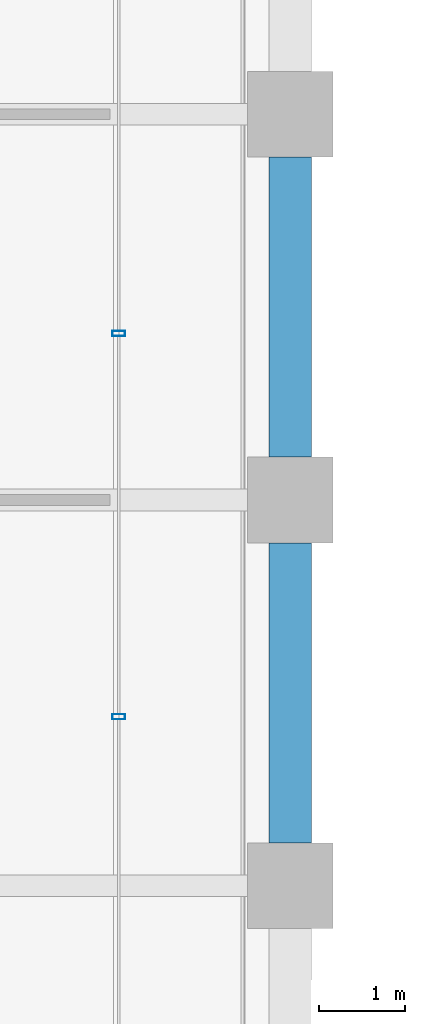
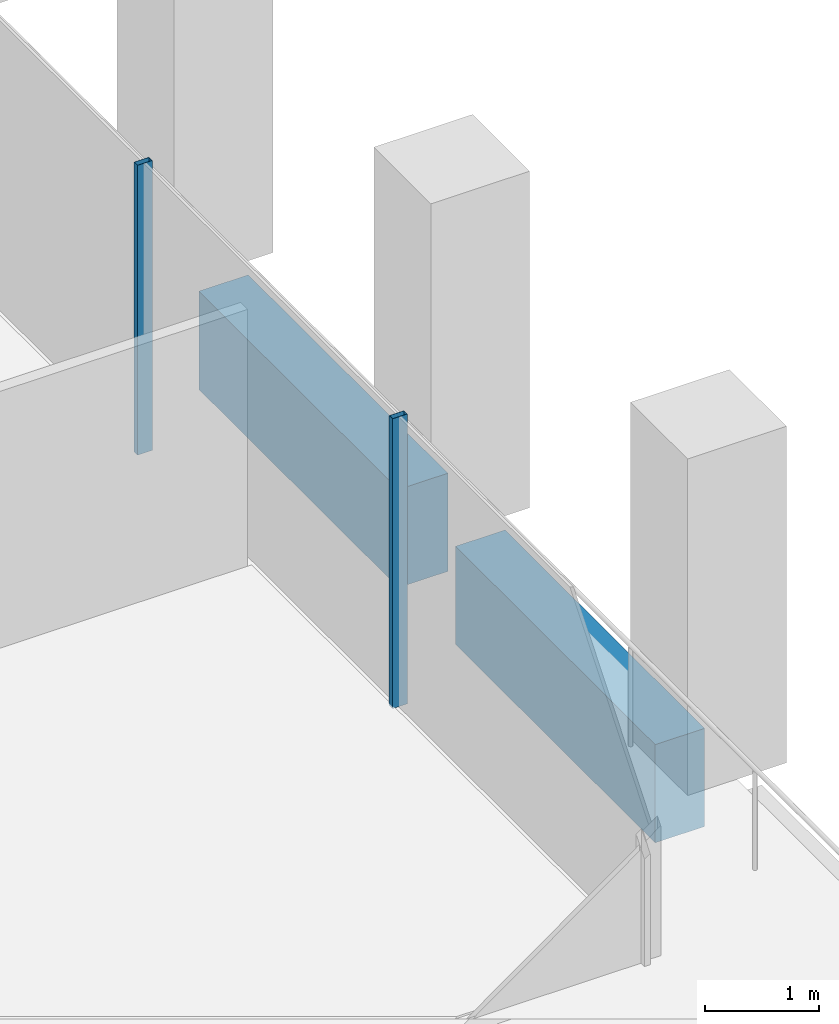
# One storey, part 15 of 47: 2 beams, 2 members, 1 element without a shape of its own.
"""IFC4 building model written with IfcOpenShell, lengths in metres."""

from ifc_helpers import new_model, si_unit, direction, frame, origin, origin_2d, place, context, subcontext, project, spatial, rectangle, hollow_rectangle, extrude, material, material_profile, profile_set, type_object, element, aggregate, save


model = new_model("IFC4")

# Units and contexts
model_context = context("Model", 3, precision=1e-05, world=origin(), true_north=direction((0.0, 1.0)))
body_context = subcontext(model_context, "Body", "Model", "MODEL_VIEW")
ifc_project = project(units=[si_unit("LENGTHUNIT", "METRE"), si_unit("AREAUNIT", "SQUARE_METRE"), si_unit("VOLUMEUNIT", "CUBIC_METRE"), si_unit("PLANEANGLEUNIT", "RADIAN"), si_unit("MASSUNIT", "GRAM", prefix="KILO")], contexts=[model_context])

# Site, building, storey
site_placement = place(None, origin())
site = spatial("IfcSite", under=ifc_project, at=site_placement, CompositionType="ELEMENT")
building_placement = place(site_placement, origin())
building = spatial("IfcBuilding", under=site, at=building_placement, Name="Altepetl Exchange Towers", CompositionType="ELEMENT")
storey_placement = place(building_placement, frame((0.0, 0.0, 99.199951171875)))
storey = spatial("IfcBuildingStorey", under=building, at=storey_placement, Name="L24", CompositionType="ELEMENT", Elevation=99.199951171875)

# Curtain wall, members
ifc_material_1 = material(Name="Aluminium 6063-T6 glazing", Category="aluminium")
curtain_wall_type = type_object("IfcCurtainWallType", Name="Loggia glazing system", PredefinedType="NOTDEFINED", material=ifc_material_1)
curtain_wall_placement = place(storey_placement, origin())
curtain_wall = element("IfcCurtainWall", 1, at=curtain_wall_placement, inside=storey, type_object=curtain_wall_type, Name="CW1 run", PredefinedType="NOTDEFINED")
ifc_material_2 = material(Name="Aluminium 6063-T6", Category="aluminium")
ifc_material_profile_1 = material_profile(ifc_material_2, hollow_rectangle(XDim=0.06005859375, YDim=0.14990234375, WallThickness=0.0029296875, at=origin_2d()), Name="Mullion 60x150 aluminium")
ifc_profile_set_1 = profile_set([ifc_material_profile_1], Name="Aluminium 6063-T6")
member_type = type_object("IfcMemberType", Name="Mullion 60x150 aluminium", PredefinedType="MULLION", material=ifc_profile_set_1)
member_1_placement = place(storey_placement, frame((70.0, 37.970947265625, 0.0), z_axis=(0.0, 0.0, 1.0), x_axis=(0.0, 1.0, 0.0)))
member_1 = element("IfcMember", 2, at=member_1_placement, type_object=member_type, Name="MU1 mullion", PredefinedType="MULLION", context=body_context, shape_type="SweptSolid", body=[
    extrude(hollow_rectangle(XDim=0.06005859375, YDim=0.14990234375, WallThickness=0.0029296875, at=origin_2d()), origin(), (0.0, 0.0, 1.0), 3.10009765625),
])
member_2_placement = place(storey_placement, frame((70.0, 42.44189453125, 0.0), z_axis=(0.0, 0.0, 1.0), x_axis=(0.0, 1.0, 0.0)))
member_2 = element("IfcMember", 3, at=member_2_placement, type_object=member_type, Name="MU1 mullion", PredefinedType="MULLION", context=body_context, shape_type="SweptSolid", body=[
    extrude(hollow_rectangle(XDim=0.06005859375, YDim=0.14990234375, WallThickness=0.0029296875, at=origin_2d()), origin(), (0.0, 0.0, 1.0), 3.10009765625),
])
aggregate(curtain_wall, [member_1, member_2])

# Beams
ifc_material_3 = material(Name="Concrete C50/60 precast with cantera amarilla facing", Category="concrete")
ifc_material_profile_2 = material_profile(ifc_material_3, rectangle(XDim=0.5, YDim=1.050048828125, at=origin_2d()), Name="500 x 1050")
ifc_profile_set_2 = profile_set([ifc_material_profile_2], Name="Concrete C50/60 precast with cantera amarilla facing")
beam_type = type_object("IfcBeamType", Name="Spandrel beam 500x1050 cantera amarilla", PredefinedType="SPANDREL", material=ifc_profile_set_2)
for number, where, z_axis, x_axis, name in (
    (4, (72.0, 36.5, -0.675048828125), (0.0, 1.0, 0.0), (-1.0, 0.0, 0.0), "sp:A:L24:013"),
    (5, (72.0, 41.0, -0.675048828125), (0.0, 1.0, 0.0), (-1.0, 0.0, 0.0), "sp:A:L24:014"),
):
    element("IfcBeam", number, at=place(storey_placement, frame(where, z_axis=z_axis, x_axis=x_axis)), inside=storey, type_object=beam_type, Name=name, PredefinedType="SPANDREL", context=body_context, shape_type="SweptSolid", body=[
        extrude(rectangle(XDim=0.5, YDim=1.050048828125, at=origin_2d()), origin(), (0.0, 0.0, 1.0), 3.5),
    ])

save(model, "model.ifc")
